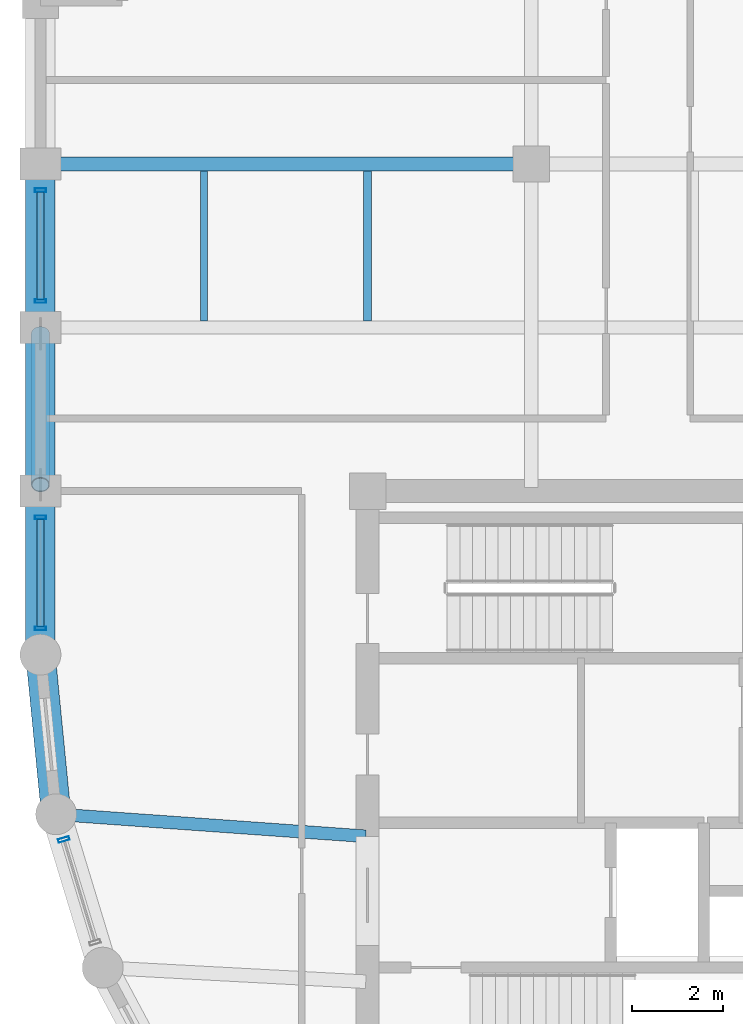
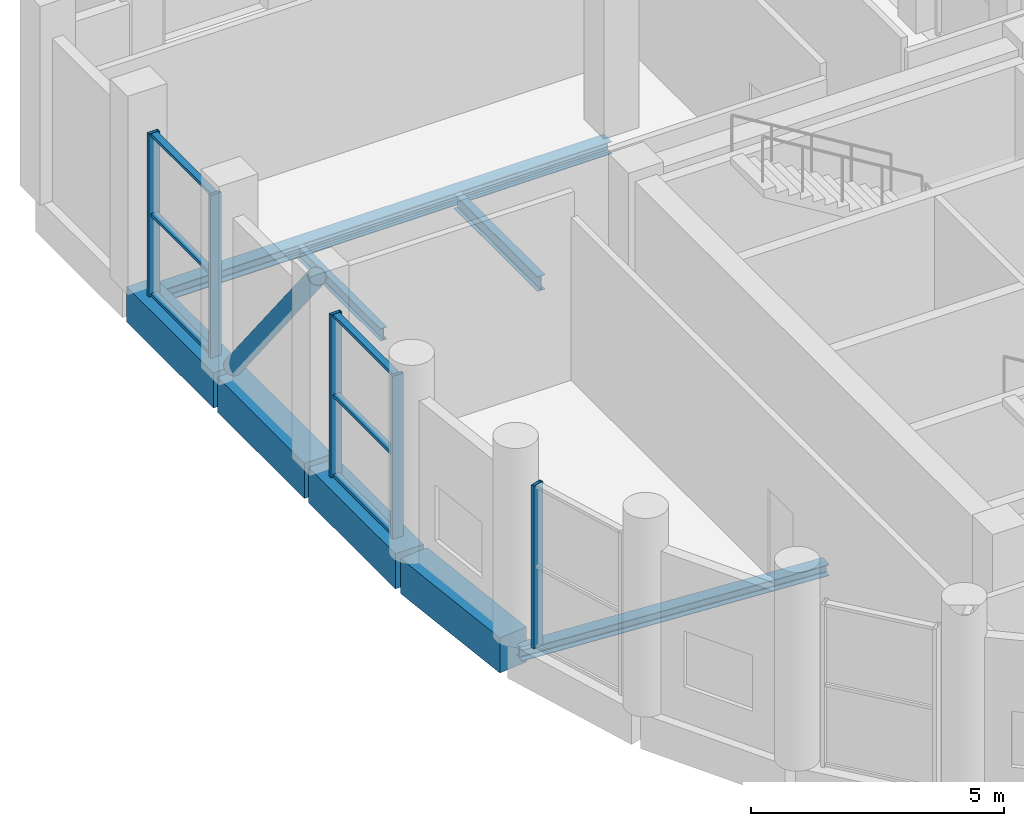
# One storey, part 5 of 16: 12 members, 8 beams, 3 elements without a shape of their own.
"""IFC4 building model written with IfcOpenShell, lengths in metres."""

import ifcopenshell
import ifcopenshell.guid

model = None  # the IFC model being written
_history = None  # IfcOwnerHistory: only IFC2X3 demands one
_inside = {}  # id of a spatial element -> (the spatial element, [elements in it])
_under = {}  # id of a project, library or spatial element -> (it, [spatial elements below it])
_declared = {}  # id of a project -> (the project, [libraries it declares])
_typed = {}  # id of a type object -> (the type object, [elements of that type])
_made_of = {}  # id of a material, layer set ... -> (it, [elements and type objects made of it])


def new_model(schema):
    """Start an empty IFC model of exactly this schema.

    Asked for "IFC4X3", IfcOpenShell would pick the latest addendum, in which some entities
    have other attributes; the version numbers below select the first issue.
    IFC2X3 requires an IfcOwnerHistory on every rooted entity: one is made here for all.
    """
    global model, _history
    if schema == "IFC4X3":
        model = ifcopenshell.file(schema_version=(4, 3, 0, 0))
    else:
        model = ifcopenshell.file(schema=schema)
    _inside.clear()
    _under.clear()
    _declared.clear()
    _typed.clear()
    _made_of.clear()
    _history = None
    if model.schema == "IFC2X3":
        org = make("IfcOrganization", Name="unknown")
        user = make(
            "IfcPersonAndOrganization",
            ThePerson=make("IfcPerson", FamilyName="unknown"),
            TheOrganization=org,
        )
        app = make(
            "IfcApplication",
            ApplicationDeveloper=org,
            Version="unknown",
            ApplicationFullName="unknown",
            ApplicationIdentifier="unknown",
        )
        _history = make(
            "IfcOwnerHistory",
            OwningUser=user,
            OwningApplication=app,
            ChangeAction="ADDED",
            CreationDate=0,
        )
    return model


def make(cls, **values):
    """One entity of the class cls with the attributes given. An attribute that is None is left unset."""
    return model.create_entity(
        cls, **{name: value for name, value in values.items() if value is not None}
    )


def rooted(cls, **values):
    """An entity with a GlobalId (a new one), such as an element, a storey or a relation."""
    return make(cls, GlobalId=ifcopenshell.guid.new(), OwnerHistory=_history, **values)


def si_unit(unit_type, name, prefix=None):
    """IfcSIUnit, for example si_unit("LENGTHUNIT", "METRE", prefix="MILLI")."""
    return make("IfcSIUnit", UnitType=unit_type, Prefix=prefix, Name=name)


def assignment(units):
    """IfcUnitAssignment: the units of a project."""
    return None if units is None else make("IfcUnitAssignment", Units=units)


def point(xyz):
    """IfcCartesianPoint."""
    return None if xyz is None else make("IfcCartesianPoint", Coordinates=xyz)


def direction(xyz):
    """IfcDirection."""
    return None if xyz is None else make("IfcDirection", DirectionRatios=xyz)


def frame(location, z_axis=None, x_axis=None):
    """IfcAxis2Placement3D, a coordinate frame: its origin and axes. An axis left out is left unset."""
    return make(
        "IfcAxis2Placement3D",
        Location=point(location),
        Axis=direction(z_axis),
        RefDirection=direction(x_axis),
    )


def frame_2d(location, x_axis=None):
    """IfcAxis2Placement2D, a coordinate frame in the plane: its origin and x axis."""
    return make(
        "IfcAxis2Placement2D", Location=point(location), RefDirection=direction(x_axis)
    )


def origin():
    """The frame at (0, 0, 0) with its axes left unset."""
    return frame((0.0, 0.0, 0.0))


def origin_2d():
    """The frame at (0, 0) in the plane with its x axis left unset."""
    return frame_2d((0.0, 0.0))


def place(relative_to, where):
    """IfcLocalPlacement: puts the frame where relative to a parent placement (None: the world)."""
    return make(
        "IfcLocalPlacement", PlacementRelTo=relative_to, RelativePlacement=where
    )


def context(
    kind, dimensions, precision=None, world=None, true_north=None, identifier=None
):
    """IfcGeometricRepresentationContext, for example the 3D "Model" context."""
    return make(
        "IfcGeometricRepresentationContext",
        ContextIdentifier=identifier,
        ContextType=kind,
        CoordinateSpaceDimension=dimensions,
        Precision=precision,
        WorldCoordinateSystem=world,
        TrueNorth=true_north,
    )


def subcontext(parent, identifier, kind, view, scale=None):
    """IfcGeometricRepresentationSubContext, for example "Body" below "Model"."""
    return make(
        "IfcGeometricRepresentationSubContext",
        ContextIdentifier=identifier,
        ContextType=kind,
        ParentContext=parent,
        TargetScale=scale,
        TargetView=view,
    )


def project(units=None, contexts=None):
    """IfcProject with its units and contexts."""
    return rooted(
        "IfcProject",
        Name="project",
        RepresentationContexts=contexts,
        UnitsInContext=assignment(units),
    )


def spatial(cls, under=None, at=None, **own):
    """A site, building, storey or space (cls), placed at a placement, below another one or the project."""
    s = rooted(cls, ObjectPlacement=at, **own)
    if under is not None:
        _under.setdefault(under.id(), (under, []))[1].append(s)
    return s


def profile(cls, at=None, kind="AREA", **sizes):
    """A parametric profile (cls). Its sizes go by their IFC names, for example OverallWidth=200.0."""
    return make(cls, ProfileType=kind, Position=at, **sizes)


def rectangle(**sizes):
    """IfcRectangleProfileDef."""
    return profile("IfcRectangleProfileDef", **sizes)


def hollow_rectangle(**sizes):
    """IfcRectangleHollowProfileDef."""
    return profile("IfcRectangleHollowProfileDef", **sizes)


def hollow_circle(**sizes):
    """IfcCircleHollowProfileDef."""
    return profile("IfcCircleHollowProfileDef", **sizes)


def i_section(**sizes):
    """IfcIShapeProfileDef."""
    return profile("IfcIShapeProfileDef", **sizes)


def extrude(swept, where, along, depth):
    """IfcExtrudedAreaSolid: the profile swept, set in the frame where, extruded along a direction by depth."""
    return make(
        "IfcExtrudedAreaSolid",
        SweptArea=swept,
        Position=where,
        ExtrudedDirection=direction(along),
        Depth=depth,
    )


def shape(context_of_items, identifier, shape_type, items):
    """IfcShapeRepresentation: the items that make up one representation, for example the "Body"."""
    return make(
        "IfcShapeRepresentation",
        ContextOfItems=context_of_items,
        RepresentationIdentifier=identifier,
        RepresentationType=shape_type,
        Items=items,
    )


def material(Name=None, Category=None):
    """IfcMaterial."""
    return make("IfcMaterial", Name=Name, Category=Category)


def layer(
    of_material, thickness, ventilated=None, Name=None, Category=None, Priority=None
):
    """IfcMaterialLayer: one layer of a wall or slab, of a material (None: an air gap)."""
    return make(
        "IfcMaterialLayer",
        Material=of_material,
        LayerThickness=thickness,
        IsVentilated=ventilated,
        Name=Name,
        Category=Category,
        Priority=Priority,
    )


def layer_set(layers, Name=None):
    """IfcMaterialLayerSet."""
    return make("IfcMaterialLayerSet", MaterialLayers=layers, LayerSetName=Name)


def material_profile(
    of_material, cross_section, Name=None, Category=None, Priority=None
):
    """IfcMaterialProfile: a cross section and its material."""
    return make(
        "IfcMaterialProfile",
        Name=Name,
        Material=of_material,
        Profile=cross_section,
        Priority=Priority,
        Category=Category,
    )


def profile_set(profiles, Name=None, composite=None):
    """IfcMaterialProfileSet."""
    return make(
        "IfcMaterialProfileSet",
        Name=Name,
        MaterialProfiles=profiles,
        CompositeProfile=composite,
    )


def made_of(thing, what):
    """Note that an element or type object is made of a material, layer set ...; save() writes the relation."""
    if what is not None:
        _made_of.setdefault(what.id(), (what, []))[1].append(thing)
    return thing


def type_object(cls, material=None, **own):
    """A type object (cls), such as IfcWallType, which elements share."""
    return made_of(rooted(cls, **own), material)


def element(
    cls,
    number,
    at=None,
    inside=None,
    cuts=None,
    type_object=None,
    material=None,
    context=None,
    identifier="Body",
    shape_type=None,
    held_by="IfcProductDefinitionShape",
    body=None,
    shapes=None,
    **own,
):
    """One element of the class cls, such as IfcWall. Its Tag is "e" and its number.

    at: its placement. inside: the storey or other place that contains it. cuts: it is an
    opening in that element (IfcRelVoidsElement). A single representation is given by context,
    identifier, shape_type and body (its items); several are given by shapes. held_by: the class
    of the entity that holds the representations. save() writes the other relations.
    """
    e = rooted(cls, Tag="e%d" % number, ObjectPlacement=at, **own)
    if body is not None:
        shapes = [shape(context, identifier, shape_type, body)]
    if shapes is not None:
        e.Representation = make(held_by, Representations=shapes)
    if inside is not None:
        _inside.setdefault(inside.id(), (inside, []))[1].append(e)
    if cuts is not None:
        rooted(
            "IfcRelVoidsElement", RelatingBuildingElement=cuts, RelatedOpeningElement=e
        )
    if type_object is not None:
        _typed.setdefault(type_object.id(), (type_object, []))[1].append(e)
    return made_of(e, material)


def aggregate(whole, parts):
    """IfcRelAggregates: a whole, such as a stair, and the parts it consists of."""
    return rooted("IfcRelAggregates", RelatingObject=whole, RelatedObjects=parts)


def save(model, path):
    """Write the relations noted so far, then the file.

    IfcRelAggregates (storeys below a building ...), IfcRelContainedInSpatialStructure (elements
    in a storey), IfcRelDefinesByType, IfcRelAssociatesMaterial and IfcRelDeclares: one each for
    every whole, place, type object, material and project.
    """
    for whole, parts in _under.values():
        aggregate(whole, parts)
    for where, things in _inside.values():
        rooted(
            "IfcRelContainedInSpatialStructure",
            RelatedElements=things,
            RelatingStructure=where,
        )
    for kind, things in _typed.values():
        rooted("IfcRelDefinesByType", RelatedObjects=things, RelatingType=kind)
    for what, things in _made_of.values():
        rooted("IfcRelAssociatesMaterial", RelatedObjects=things, RelatingMaterial=what)
    for by, libraries in _declared.values():
        rooted("IfcRelDeclares", RelatingContext=by, RelatedDefinitions=libraries)
    model.write(path)


model = new_model("IFC4")

# Units and contexts
model_context = context("Model", 3, precision=1e-05, world=origin(), true_north=direction((0.0, 1.0)))
body_context = subcontext(model_context, "Body", "Model", "MODEL_VIEW")
ifc_project = project(units=[si_unit("LENGTHUNIT", "METRE"), si_unit("AREAUNIT", "SQUARE_METRE"), si_unit("VOLUMEUNIT", "CUBIC_METRE"), si_unit("PLANEANGLEUNIT", "RADIAN"), si_unit("MASSUNIT", "GRAM", prefix="KILO")], contexts=[model_context])

# Site, building, storey
site_placement = place(None, origin())
site = spatial("IfcSite", under=ifc_project, at=site_placement, CompositionType="ELEMENT")
building_placement = place(site_placement, origin())
building = spatial("IfcBuilding", under=site, at=building_placement, Name="Solnavia Interchange Tower", CompositionType="ELEMENT")
storey_placement = place(building_placement, frame((0.0, 0.0, 209.0)))
storey = spatial("IfcBuildingStorey", under=building, at=storey_placement, Name="L52", CompositionType="ELEMENT", Elevation=209.0)

# Beams
ifc_material_1 = material(Name="Steel S460", Category="steel")
ifc_material_profile_1 = material_profile(ifc_material_1, i_section(OverallWidth=0.300048828125, OverallDepth=0.300048828125, WebThickness=0.010986328125, FlangeThickness=0.01904296875, FilletRadius=0.027099609375, at=origin_2d()), Name="HEB 300")
ifc_profile_set_1 = profile_set([ifc_material_profile_1], Name="Steel S460")
beam_type_1 = type_object("IfcBeamType", Name="Beam-Girder-HEB300", PredefinedType="BEAM", material=ifc_profile_set_1)
beam_1_placement = place(storey_placement, frame((7.280029296875, 32.39990234375, -0.469970703125), z_axis=(1.0, 0.0, 0.0), x_axis=(0.0, 1.0, 0.0)))
element("IfcBeam", 1, at=beam_1_placement, inside=storey, type_object=beam_type_1, Name="GRD-L52-NW10 North wing primary floor girder", PredefinedType="BEAM", context=body_context, shape_type="SweptSolid", body=[
    extrude(i_section(OverallWidth=0.300048828125, OverallDepth=0.300048828125, WebThickness=0.010986328125, FlangeThickness=0.01904296875, FilletRadius=0.027099609375, at=origin_2d()), origin(), (0.0, 0.0, 1.0), 10.639892578125),
])
ifc_material_2 = material(Name="Steel S355", Category="steel")
ifc_material_profile_2 = material_profile(ifc_material_2, i_section(OverallWidth=0.14990234375, OverallDepth=0.300048828125, WebThickness=0.007080078125, FlangeThickness=0.0107421875, FilletRadius=0.014892578125, at=origin_2d()), Name="IPE 300")
ifc_profile_set_2 = profile_set([ifc_material_profile_2], Name="Steel S355")
beam_type_2 = type_object("IfcBeamType", Name="Beam-Joist-IPE300", PredefinedType="JOIST", material=ifc_profile_set_2)
beam_2_placement = place(storey_placement, frame((10.800048828125, 28.93994140625, -0.469970703125), z_axis=(0.0, 1.0, 0.0), x_axis=(-1.0, 0.0, 0.0)))
element("IfcBeam", 2, at=beam_2_placement, inside=storey, type_object=beam_type_2, Name="JST-L52-N09 North wing secondary joist", PredefinedType="JOIST", context=body_context, shape_type="SweptSolid", body=[
    extrude(i_section(OverallWidth=0.14990234375, OverallDepth=0.300048828125, WebThickness=0.007080078125, FlangeThickness=0.0107421875, FilletRadius=0.014892578125, at=origin_2d()), origin(), (0.0, 0.0, 1.0), 3.31005859375),
])
ifc_material_profile_3 = material_profile(ifc_material_2, i_section(OverallWidth=0.169921875, OverallDepth=0.360107421875, WebThickness=0.008056640625, FlangeThickness=0.0126953125, FilletRadius=0.01806640625, at=origin_2d()), Name="IPE 360")
ifc_profile_set_3 = profile_set([ifc_material_profile_3], Name="Steel S355")
beam_type_3 = type_object("IfcBeamType", Name="Beam-Joist-IPE360", PredefinedType="JOIST", material=ifc_profile_set_3)
beam_3_placement = place(storey_placement, frame((14.39990234375, 28.93994140625, -0.5), z_axis=(0.0, 1.0, 0.0), x_axis=(-1.0, 0.0, 0.0)))
element("IfcBeam", 3, at=beam_3_placement, inside=storey, type_object=beam_type_3, Name="JST-L52-N10 North wing secondary joist", PredefinedType="JOIST", context=body_context, shape_type="SweptSolid", body=[
    extrude(i_section(OverallWidth=0.169921875, OverallDepth=0.360107421875, WebThickness=0.008056640625, FlangeThickness=0.0126953125, FilletRadius=0.01806640625, at=origin_2d()), origin(), (0.0, 0.0, 1.0), 3.31005859375),
])
ifc_material_profile_4 = material_profile(ifc_material_2, i_section(OverallWidth=0.280029296875, OverallDepth=0.27001953125, WebThickness=0.008056640625, FlangeThickness=0.012939453125, FilletRadius=0.02392578125, at=origin_2d()), Name="HEA 280")
ifc_profile_set_4 = profile_set([ifc_material_profile_4], Name="Steel S355")
beam_type_4 = type_object("IfcBeamType", Name="Beam-Primary-HEA280", PredefinedType="BEAM", material=ifc_profile_set_4)
beam_4_placement = place(storey_placement, frame((7.625732421875, 18.082275390625, -0.455078125), z_axis=(0.99747482749, -0.071020902015, 0.0), x_axis=(0.071020902015, 0.99747482749, 0.0)))
element("IfcBeam", 4, at=beam_4_placement, inside=storey, type_object=beam_type_4, Name="GRD-L52-DR12 Drum radial floor girder", PredefinedType="BEAM", context=body_context, shape_type="SweptSolid", body=[
    extrude(i_section(OverallWidth=0.280029296875, OverallDepth=0.27001953125, WebThickness=0.008056640625, FlangeThickness=0.012939453125, FilletRadius=0.02392578125, at=origin_2d()), origin(), (0.0, 0.0, 1.0), 6.75146484375),
])
ifc_material_3 = material(Name="Concrete C50/60", Category="concrete")
ifc_material_profile_5 = material_profile(ifc_material_3, rectangle(XDim=0.64990234375, YDim=0.85009765625, at=origin_2d()), Name="RC 650x850")
ifc_profile_set_5 = profile_set([ifc_material_profile_5], Name="Concrete C50/60")
beam_type_5 = type_object("IfcBeamType", Name="Beam-Spandrel-RC650x850", PredefinedType="SPANDREL", material=ifc_profile_set_5)
beam_5_placement = place(storey_placement, frame((7.207763671875, 21.5205078125, -0.425048828125), z_axis=(0.098040038117, -0.995182471171, 0.0), x_axis=(0.995182471171, 0.098040038117, 0.0)))
element("IfcBeam", 5, at=beam_5_placement, inside=storey, type_object=beam_type_5, Name="SPB-L52-01 Framed-tube perimeter spandrel beam", PredefinedType="SPANDREL", context=body_context, shape_type="SweptSolid", body=[
    extrude(rectangle(XDim=0.64990234375, YDim=0.85009765625, at=origin_2d()), origin(), (0.0, 0.0, 1.0), 3.369140625),
])
beam_6_placement = place(storey_placement, frame((7.199951171875, 32.320068359375, -0.425048828125), z_axis=(0.0, -1.0, 0.0), x_axis=(1.0, 0.0, 0.0)))
element("IfcBeam", 6, at=beam_6_placement, inside=storey, type_object=beam_type_5, Name="SPB-L52-31 Framed-tube perimeter spandrel beam", PredefinedType="SPANDREL", context=body_context, shape_type="SweptSolid", body=[
    extrude(rectangle(XDim=0.64990234375, YDim=0.85009765625, at=origin_2d()), origin(), (0.0, 0.0, 1.0), 3.440185546875),
])
beam_7_placement = place(storey_placement, frame((7.199951171875, 28.719970703125, -0.425048828125), z_axis=(0.0, -1.0, 0.0), x_axis=(1.0, 0.0, 0.0)))
element("IfcBeam", 7, at=beam_7_placement, inside=storey, type_object=beam_type_5, Name="SPB-L52-32 Framed-tube perimeter spandrel beam", PredefinedType="SPANDREL", context=body_context, shape_type="SweptSolid", body=[
    extrude(rectangle(XDim=0.64990234375, YDim=0.85009765625, at=origin_2d()), origin(), (0.0, 0.0, 1.0), 3.43994140625),
])
beam_8_placement = place(storey_placement, frame((7.199951171875, 25.1201171875, -0.425048828125), z_axis=(0.0, -1.0, 0.0), x_axis=(1.0, 0.0, 0.0)))
element("IfcBeam", 8, at=beam_8_placement, inside=storey, type_object=beam_type_5, Name="SPB-L52-33 Framed-tube perimeter spandrel beam", PredefinedType="SPANDREL", context=body_context, shape_type="SweptSolid", body=[
    extrude(rectangle(XDim=0.64990234375, YDim=0.85009765625, at=origin_2d()), origin(), (0.0, 0.0, 1.0), 3.440185546875),
])

# Member
ifc_material_profile_6 = material_profile(ifc_material_1, hollow_circle(Radius=0.203125, WallThickness=0.02001953125, at=origin_2d()), Name="CHS 406.4x20")
ifc_profile_set_6 = profile_set([ifc_material_profile_6], Name="Steel S460")
member_type_1 = type_object("IfcMemberType", Name="Brace-Perim-CHS406", PredefinedType="BRACE", material=ifc_profile_set_6)
member_1_placement = place(storey_placement, frame((7.199951171875, 28.659912109375, 0.179931640625), z_axis=(0.0, -0.621001182941, 0.783809626623), x_axis=(1.0, 0.0, 0.0)))
element("IfcMember", 9, at=member_1_placement, inside=storey, type_object=member_type_1, Name="BRC-L52-01 Perimeter tube diagonal brace", PredefinedType="BRACE", context=body_context, shape_type="SweptSolid", body=[
    extrude(hollow_circle(Radius=0.203125, WallThickness=0.02001953125, at=origin_2d()), origin(), (0.0, 0.0, 1.0), 5.345947265625),
])

# Curtain wall, members
ifc_material_4 = material(Name="Aluminium Alloy 6063-T6", Category="aluminium")
ifc_layer = layer(ifc_material_4, 0.27001953125)
ifc_layer_set = layer_set([ifc_layer], Name="Aluminium Alloy 6063-T6")
curtain_wall_type = type_object("IfcCurtainWallType", Name="CurtainWall-SkyLobby-CTW4", PredefinedType="NOTDEFINED", material=ifc_layer_set)
curtain_wall_1_placement = place(storey_placement, origin())
curtain_wall_1 = element("IfcCurtainWall", 10, at=curtain_wall_1_placement, inside=storey, type_object=curtain_wall_type, Name="CTW-L52-S42 CTW-4 curtain wall", PredefinedType="NOTDEFINED")
ifc_material_profile_7 = material_profile(ifc_material_4, hollow_rectangle(XDim=0.080078125, YDim=0.25, WallThickness=0.006103515625, at=origin_2d()), Name="ALU 250x80x6")
ifc_profile_set_7 = profile_set([ifc_material_profile_7], Name="Aluminium Alloy 6063-T6")
member_type_2 = type_object("IfcMemberType", Name="CW-Mullion-CWM-4", PredefinedType="MULLION", material=ifc_profile_set_7)
member_2_placement = place(storey_placement, frame((7.199951171875, 31.820068359375, 0.0), z_axis=(0.0, 0.0, 1.0), x_axis=(0.0, -1.0, 0.0)))
member_2 = element("IfcMember", 11, at=member_2_placement, type_object=member_type_2, Name="CTW-4 mullion 1", PredefinedType="MULLION", context=body_context, shape_type="SweptSolid", body=[
    extrude(hollow_rectangle(XDim=0.080078125, YDim=0.25, WallThickness=0.006103515625, at=origin_2d()), origin(), (0.0, 0.0, 1.0), 3.929931640625),
])
member_3_placement = place(storey_placement, frame((7.199951171875, 29.3798828125, 0.0), z_axis=(0.0, 0.0, 1.0), x_axis=(0.0, -1.0, 0.0)))
member_3 = element("IfcMember", 12, at=member_3_placement, type_object=member_type_2, Name="CTW-4 mullion 2", PredefinedType="MULLION", context=body_context, shape_type="SweptSolid", body=[
    extrude(hollow_rectangle(XDim=0.080078125, YDim=0.25, WallThickness=0.006103515625, at=origin_2d()), origin(), (0.0, 0.0, 1.0), 3.929931640625),
])

curtain_wall_2_placement = place(storey_placement, origin())
curtain_wall_2 = element("IfcCurtainWall", 13, at=curtain_wall_2_placement, inside=storey, type_object=curtain_wall_type, Name="CTW-L52-S44 CTW-4 curtain wall", PredefinedType="NOTDEFINED")
member_4_placement = place(storey_placement, frame((7.199951171875, 24.6201171875, 0.0), z_axis=(0.0, 0.0, 1.0), x_axis=(0.0, -1.0, 0.0)))
member_4 = element("IfcMember", 14, at=member_4_placement, type_object=member_type_2, Name="CTW-4 mullion 1", PredefinedType="MULLION", context=body_context, shape_type="SweptSolid", body=[
    extrude(hollow_rectangle(XDim=0.080078125, YDim=0.25, WallThickness=0.006103515625, at=origin_2d()), origin(), (0.0, 0.0, 1.0), 3.929931640625),
])
member_5_placement = place(storey_placement, frame((7.199951171875, 22.179931640625, 0.0), z_axis=(0.0, 0.0, 1.0), x_axis=(0.0, -1.0, 0.0)))
member_5 = element("IfcMember", 15, at=member_5_placement, type_object=member_type_2, Name="CTW-4 mullion 2", PredefinedType="MULLION", context=body_context, shape_type="SweptSolid", body=[
    extrude(hollow_rectangle(XDim=0.080078125, YDim=0.25, WallThickness=0.006103515625, at=origin_2d()), origin(), (0.0, 0.0, 1.0), 3.929931640625),
])

# Curtain wall, member
curtain_wall_3_placement = place(storey_placement, origin())
curtain_wall_3 = element("IfcCurtainWall", 16, at=curtain_wall_3_placement, inside=storey, type_object=curtain_wall_type, Name="CTW-L52-S46 CTW-4 curtain wall", PredefinedType="NOTDEFINED")
member_6_placement = place(storey_placement, frame((7.71435546875, 17.532958984375, 0.0), z_axis=(0.0, 0.0, 1.0), x_axis=(0.290299913815, -0.95693571364, 0.0)))
member_6 = element("IfcMember", 17, at=member_6_placement, type_object=member_type_2, Name="CTW-4 mullion 1", PredefinedType="MULLION", context=body_context, shape_type="SweptSolid", body=[
    extrude(hollow_rectangle(XDim=0.080078125, YDim=0.25, WallThickness=0.006103515625, at=origin_2d()), origin(), (0.0, 0.0, 1.0), 3.929931640625),
])
aggregate(curtain_wall_3, [member_6])

# Member
ifc_material_profile_8 = material_profile(ifc_material_4, hollow_rectangle(XDim=0.070068359375, YDim=0.14990234375, WallThickness=0.00439453125, at=origin_2d()), Name="ALU 150x70x4.5")
ifc_profile_set_8 = profile_set([ifc_material_profile_8], Name="Aluminium Alloy 6063-T6")
member_type_3 = type_object("IfcMemberType", Name="CW-Transom-CWT-4", PredefinedType="USERDEFINED", material=ifc_profile_set_8)
member_7_placement = place(storey_placement, frame((7.199951171875, 31.780029296875, 0.034912109375), z_axis=(0.0, -1.0, 0.0), x_axis=(0.0, 0.0, 1.0)))
member_7 = element("IfcMember", 18, at=member_7_placement, type_object=member_type_3, Name="CTW-4 transom 1.1", ObjectType="TRANSOM", PredefinedType="USERDEFINED", context=body_context, shape_type="SweptSolid", body=[
    extrude(hollow_rectangle(XDim=0.070068359375, YDim=0.14990234375, WallThickness=0.00439453125, at=origin_2d()), origin(), (0.0, 0.0, 1.0), 2.360107421875),
])

member_8_placement = place(storey_placement, frame((7.199951171875, 31.780029296875, 1.965087890625), z_axis=(0.0, -1.0, 0.0), x_axis=(0.0, 0.0, 1.0)))
member_8 = element("IfcMember", 19, at=member_8_placement, type_object=member_type_3, Name="CTW-4 transom 1.2", ObjectType="TRANSOM", PredefinedType="USERDEFINED", context=body_context, shape_type="SweptSolid", body=[
    extrude(hollow_rectangle(XDim=0.070068359375, YDim=0.14990234375, WallThickness=0.00439453125, at=origin_2d()), origin(), (0.0, 0.0, 1.0), 2.360107421875),
])

member_9_placement = place(storey_placement, frame((7.199951171875, 31.780029296875, 3.89501953125), z_axis=(0.0, -1.0, 0.0), x_axis=(0.0, 0.0, 1.0)))
member_9 = element("IfcMember", 20, at=member_9_placement, type_object=member_type_3, Name="CTW-4 transom 1.3", ObjectType="TRANSOM", PredefinedType="USERDEFINED", context=body_context, shape_type="SweptSolid", body=[
    extrude(hollow_rectangle(XDim=0.070068359375, YDim=0.14990234375, WallThickness=0.00439453125, at=origin_2d()), origin(), (0.0, 0.0, 1.0), 2.360107421875),
])

aggregate(curtain_wall_1, [member_2, member_3, member_7, member_8, member_9])

member_10_placement = place(storey_placement, frame((7.199951171875, 24.580078125, 0.034912109375), z_axis=(0.0, -1.0, 0.0), x_axis=(0.0, 0.0, 1.0)))
member_10 = element("IfcMember", 21, at=member_10_placement, type_object=member_type_3, Name="CTW-4 transom 1.1", ObjectType="TRANSOM", PredefinedType="USERDEFINED", context=body_context, shape_type="SweptSolid", body=[
    extrude(hollow_rectangle(XDim=0.070068359375, YDim=0.14990234375, WallThickness=0.00439453125, at=origin_2d()), origin(), (0.0, 0.0, 1.0), 2.360107421875),
])

member_11_placement = place(storey_placement, frame((7.199951171875, 24.580078125, 1.965087890625), z_axis=(0.0, -1.0, 0.0), x_axis=(0.0, 0.0, 1.0)))
member_11 = element("IfcMember", 22, at=member_11_placement, type_object=member_type_3, Name="CTW-4 transom 1.2", ObjectType="TRANSOM", PredefinedType="USERDEFINED", context=body_context, shape_type="SweptSolid", body=[
    extrude(hollow_rectangle(XDim=0.070068359375, YDim=0.14990234375, WallThickness=0.00439453125, at=origin_2d()), origin(), (0.0, 0.0, 1.0), 2.360107421875),
])

member_12_placement = place(storey_placement, frame((7.199951171875, 24.580078125, 3.89501953125), z_axis=(0.0, -1.0, 0.0), x_axis=(0.0, 0.0, 1.0)))
member_12 = element("IfcMember", 23, at=member_12_placement, type_object=member_type_3, Name="CTW-4 transom 1.3", ObjectType="TRANSOM", PredefinedType="USERDEFINED", context=body_context, shape_type="SweptSolid", body=[
    extrude(hollow_rectangle(XDim=0.070068359375, YDim=0.14990234375, WallThickness=0.00439453125, at=origin_2d()), origin(), (0.0, 0.0, 1.0), 2.360107421875),
])

aggregate(curtain_wall_2, [member_4, member_5, member_10, member_11, member_12])

save(model, "model.ifc")
